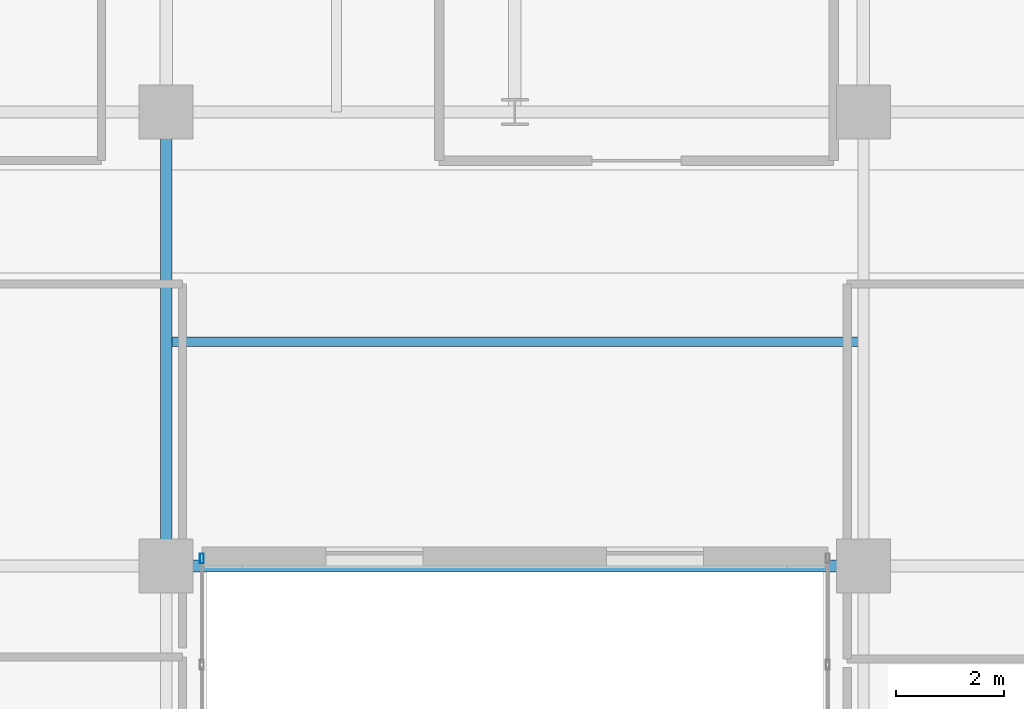
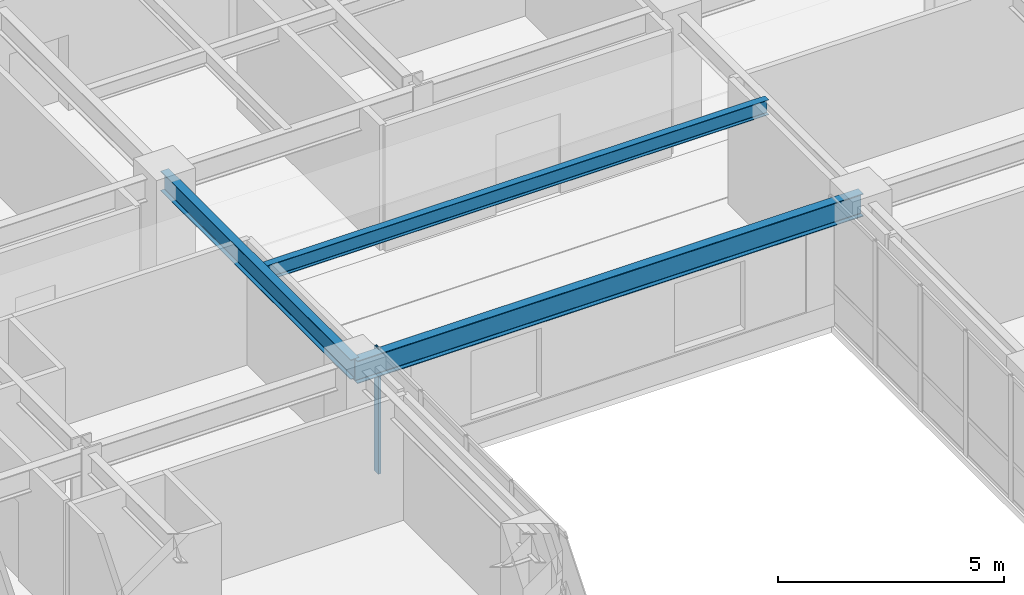
# One storey, part 5 of 25: 3 beams, 1 member, 1 element without a shape of its own.
"""IFC4 building model written with IfcOpenShell, lengths in metres."""

from ifc_helpers import new_model, si_unit, direction, frame, origin, origin_2d, place, context, subcontext, project, spatial, hollow_rectangle, i_section, extrude, source, transform, mapped, material, layer, layer_set, material_profile, profile_set, type_object, type_shapes, element, aggregate, save


model = new_model("IFC4")

# Units and contexts
model_context = context("Model", 3, precision=1e-05, world=origin(), true_north=direction((0.0, 1.0)))
body_context = subcontext(model_context, "Body", "Model", "MODEL_VIEW")
ifc_project = project(units=[si_unit("LENGTHUNIT", "METRE"), si_unit("AREAUNIT", "SQUARE_METRE"), si_unit("VOLUMEUNIT", "CUBIC_METRE"), si_unit("PLANEANGLEUNIT", "RADIAN"), si_unit("MASSUNIT", "GRAM", prefix="KILO")], contexts=[model_context])

# Site, building, storey
site_placement = place(None, origin())
site = spatial("IfcSite", under=ifc_project, at=site_placement, CompositionType="ELEMENT")
building_placement = place(site_placement, origin())
building = spatial("IfcBuilding", under=site, at=building_placement, Name="Tolvann Quenvar Hotel", CompositionType="ELEMENT")
storey_placement = place(building_placement, frame((0.0, 0.0, 39.10009765625)))
storey = spatial("IfcBuildingStorey", under=building, at=storey_placement, Name="L08", CompositionType="ELEMENT", Elevation=39.10009765625)

# Beams
ifc_material_1 = material(Name="Steel Grade 350", Category="steel")
ifc_material_profile_1 = material_profile(ifc_material_1, i_section(OverallWidth=0.22900390625, OverallDepth=0.612060546875, WebThickness=0.011962890625, FlangeThickness=0.01953125, FilletRadius=0.013916015625, at=origin_2d()), Name="610UB125")
ifc_profile_set_1 = profile_set([ifc_material_profile_1], Name="Steel Grade 350")
beam_type_1 = type_object("IfcBeamType", Name="BM_GIRD_610UB125", PredefinedType="BEAM", material=ifc_profile_set_1)
shared_shape_1 = source(origin(), body_context, "Body", "SweptSolid", [
    extrude(i_section(OverallWidth=0.22900390625, OverallDepth=0.612060546875, WebThickness=0.011962890625, FlangeThickness=0.01953125, FilletRadius=0.013916015625, at=origin_2d()), origin(), (0.0, 0.0, 1.0), 12.89990234375),
])
type_shapes(beam_type_1, [shared_shape_1])
beam_1_placement = place(storey_placement, frame((22.050048828125, 16.0, 3.06396484375), z_axis=(1.0, 0.0, 0.0), x_axis=(0.0, 1.0, 0.0)))
element("IfcBeam", 1, at=beam_1_placement, inside=storey, type_object=beam_type_1, Name="BM-L08-EW-4-E4-F4", PredefinedType="BEAM", context=body_context, shape_type="MappedRepresentation", body=[
    mapped(shared_shape_1, transform((0.0, 0.0, 0.0), x_axis=(1.0, 0.0, 0.0), y_axis=(0.0, 1.0, 0.0), z_axis=(0.0, 0.0, 1.0), scale=1.0)),
])
ifc_material_profile_2 = material_profile(ifc_material_1, i_section(OverallWidth=0.208984375, OverallDepth=0.532958984375, WebThickness=0.01025390625, FlangeThickness=0.015625, FilletRadius=0.013916015625, at=origin_2d()), Name="530UB92")
ifc_profile_set_2 = profile_set([ifc_material_profile_2], Name="Steel Grade 350")
beam_type_2 = type_object("IfcBeamType", Name="BM_GIRD_530UB92", PredefinedType="BEAM", material=ifc_profile_set_2)
shared_shape_2 = source(origin(), body_context, "Body", "SweptSolid", [
    extrude(i_section(OverallWidth=0.208984375, OverallDepth=0.532958984375, WebThickness=0.01025390625, FlangeThickness=0.015625, FilletRadius=0.013916015625, at=origin_2d()), origin(), (0.0, 0.0, 1.0), 8.39990234375),
])
type_shapes(beam_type_2, [shared_shape_2])
beam_2_placement = place(storey_placement, frame((22.050048828125, 16.0, 3.103515625), z_axis=(0.0, 1.0, 0.0), x_axis=(-1.0, 0.0, 0.0)))
element("IfcBeam", 2, at=beam_2_placement, inside=storey, type_object=beam_type_2, Name="BM-L08-NS-E4-E5", PredefinedType="BEAM", context=body_context, shape_type="MappedRepresentation", body=[
    mapped(shared_shape_2, transform((0.0, 0.0, 0.0), x_axis=(1.0, 0.0, 0.0), y_axis=(0.0, 1.0, 0.0), z_axis=(0.0, 0.0, 1.0), scale=1.0)),
])
ifc_material_profile_3 = material_profile(ifc_material_1, i_section(OverallWidth=0.177978515625, OverallDepth=0.406005859375, WebThickness=0.0078125, FlangeThickness=0.0126953125, FilletRadius=0.011474609375, at=origin_2d()), Name="410UB60")
ifc_profile_set_3 = profile_set([ifc_material_profile_3], Name="Steel Grade 350")
beam_type_3 = type_object("IfcBeamType", Name="BM_JOIST_410UB60", PredefinedType="JOIST", material=ifc_profile_set_3)
shared_shape_3 = source(origin(), body_context, "Body", "SweptSolid", [
    extrude(i_section(OverallWidth=0.177978515625, OverallDepth=0.406005859375, WebThickness=0.0078125, FlangeThickness=0.0126953125, FilletRadius=0.011474609375, at=origin_2d()), origin(), (0.0, 0.0, 1.0), 12.89990234375),
])
type_shapes(beam_type_3, [shared_shape_3])
beam_3_placement = place(storey_placement, frame((22.050048828125, 20.14990234375, 3.1669921875), z_axis=(1.0, 0.0, 0.0), x_axis=(0.0, 1.0, 0.0)))
element("IfcBeam", 3, at=beam_3_placement, inside=storey, type_object=beam_type_3, Name="BM-L08-SPINE-20", PredefinedType="JOIST", context=body_context, shape_type="MappedRepresentation", body=[
    mapped(shared_shape_3, transform((0.0, 0.0, 0.0), x_axis=(1.0, 0.0, 0.0), y_axis=(0.0, 1.0, 0.0), z_axis=(0.0, 0.0, 1.0), scale=1.0)),
])

# Curtain wall, member
ifc_material_2 = material(Name="Thermally broken anodised architectural aluminium 6063-T6 and laminated low-E glass", Category="aluminium")
ifc_layer = layer(ifc_material_2, 0.179931640625)
ifc_layer_set = layer_set([ifc_layer], Name="Thermally broken anodised architectural aluminium 6063-T6 and laminated low-E glass")
curtain_wall_type = type_object("IfcCurtainWallType", Name="CW_SYS_SLOT_03", PredefinedType="USERDEFINED", material=ifc_layer_set)
curtain_wall_placement = place(storey_placement, origin())
curtain_wall = element("IfcCurtainWall", 4, at=curtain_wall_placement, inside=storey, type_object=curtain_wall_type, Name="Curtain Wall CW-SLOT-03 (CWR-L08-E05)", ObjectType="UNITISED CURTAIN WALL", PredefinedType="USERDEFINED")
ifc_material_3 = material(Name="Anodised architectural aluminium 6063-T6 framing", Category="aluminium")
ifc_material_profile_4 = material_profile(ifc_material_3, hollow_rectangle(XDim=0.070068359375, YDim=0.179931640625, WallThickness=0.00390625, at=origin_2d()), Name="180x70x4RHS")
ifc_profile_set_4 = profile_set([ifc_material_profile_4], Name="Anodised architectural aluminium 6063-T6 framing")
member_type = type_object("IfcMemberType", Name="CW_MULL_180x70", PredefinedType="MULLION", material=ifc_profile_set_4)
shared_shape_4 = source(origin(), body_context, "Body", "SweptSolid", [
    extrude(hollow_rectangle(XDim=0.070068359375, YDim=0.179931640625, WallThickness=0.00390625, at=origin_2d()), origin(), (0.0, 0.0, 1.0), 3.369873046875),
])
type_shapes(member_type, [shared_shape_4])
member_placement = place(storey_placement, frame((22.7099609375, 16.139892578125, 0.0), z_axis=(0.0, 0.0, 1.0), x_axis=(-1.0, 0.0, 0.0)))
member = element("IfcMember", 5, at=member_placement, type_object=member_type, Name="CW-SLOT-03 mullion 9", PredefinedType="MULLION", context=body_context, shape_type="MappedRepresentation", body=[
    mapped(shared_shape_4, transform((0.0, 0.0, 0.0), x_axis=(1.0, 0.0, 0.0), y_axis=(0.0, 1.0, 0.0), z_axis=(0.0, 0.0, 1.0), scale=1.0)),
])
aggregate(curtain_wall, [member])

save(model, "model.ifc")
